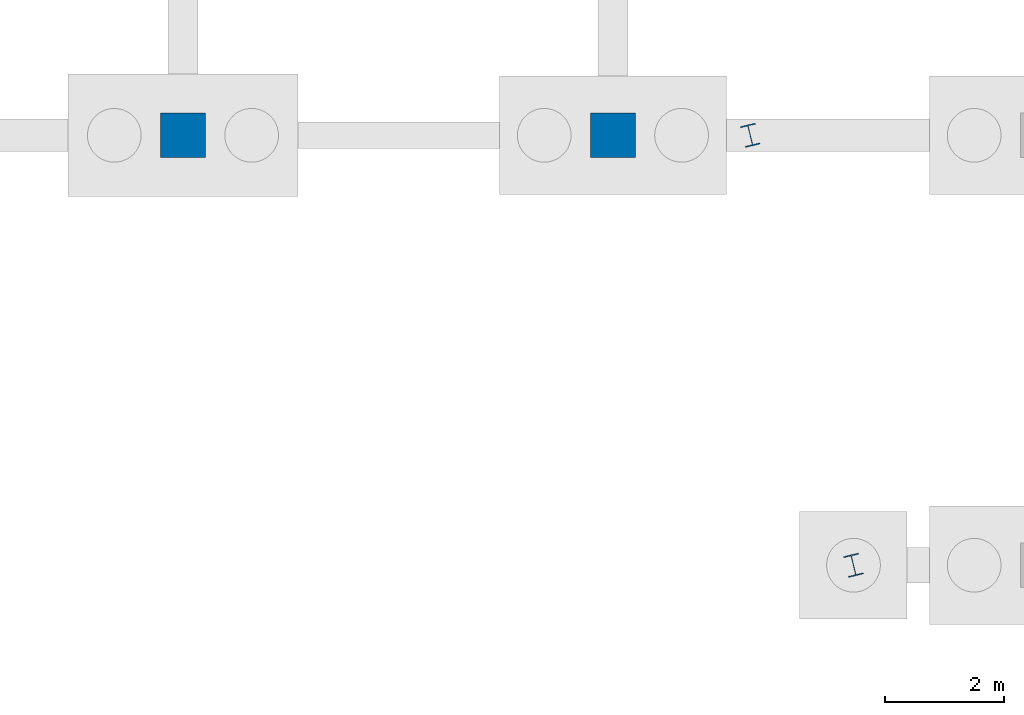
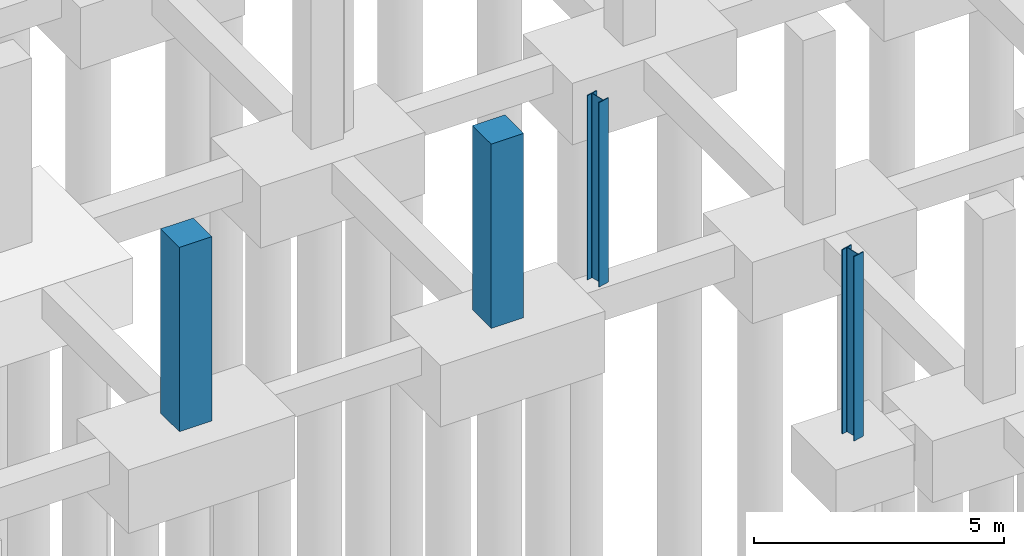
# One storey, part 16 of 36: 4 columns.
"""IFC4 building model written with IfcOpenShell, lengths in metres."""

import ifcopenshell
import ifcopenshell.guid

model = None  # the IFC model being written
_history = None  # IfcOwnerHistory: only IFC2X3 demands one
_inside = {}  # id of a spatial element -> (the spatial element, [elements in it])
_under = {}  # id of a project, library or spatial element -> (it, [spatial elements below it])
_declared = {}  # id of a project -> (the project, [libraries it declares])
_typed = {}  # id of a type object -> (the type object, [elements of that type])
_made_of = {}  # id of a material, layer set ... -> (it, [elements and type objects made of it])


def new_model(schema):
    """Start an empty IFC model of exactly this schema.

    Asked for "IFC4X3", IfcOpenShell would pick the latest addendum, in which some entities
    have other attributes; the version numbers below select the first issue.
    IFC2X3 requires an IfcOwnerHistory on every rooted entity: one is made here for all.
    """
    global model, _history
    if schema == "IFC4X3":
        model = ifcopenshell.file(schema_version=(4, 3, 0, 0))
    else:
        model = ifcopenshell.file(schema=schema)
    _inside.clear()
    _under.clear()
    _declared.clear()
    _typed.clear()
    _made_of.clear()
    _history = None
    if model.schema == "IFC2X3":
        org = make("IfcOrganization", Name="unknown")
        user = make(
            "IfcPersonAndOrganization",
            ThePerson=make("IfcPerson", FamilyName="unknown"),
            TheOrganization=org,
        )
        app = make(
            "IfcApplication",
            ApplicationDeveloper=org,
            Version="unknown",
            ApplicationFullName="unknown",
            ApplicationIdentifier="unknown",
        )
        _history = make(
            "IfcOwnerHistory",
            OwningUser=user,
            OwningApplication=app,
            ChangeAction="ADDED",
            CreationDate=0,
        )
    return model


def make(cls, **values):
    """One entity of the class cls with the attributes given. An attribute that is None is left unset."""
    return model.create_entity(
        cls, **{name: value for name, value in values.items() if value is not None}
    )


def rooted(cls, **values):
    """An entity with a GlobalId (a new one), such as an element, a storey or a relation."""
    return make(cls, GlobalId=ifcopenshell.guid.new(), OwnerHistory=_history, **values)


def si_unit(unit_type, name, prefix=None):
    """IfcSIUnit, for example si_unit("LENGTHUNIT", "METRE", prefix="MILLI")."""
    return make("IfcSIUnit", UnitType=unit_type, Prefix=prefix, Name=name)


def assignment(units):
    """IfcUnitAssignment: the units of a project."""
    return None if units is None else make("IfcUnitAssignment", Units=units)


def point(xyz):
    """IfcCartesianPoint."""
    return None if xyz is None else make("IfcCartesianPoint", Coordinates=xyz)


def direction(xyz):
    """IfcDirection."""
    return None if xyz is None else make("IfcDirection", DirectionRatios=xyz)


def frame(location, z_axis=None, x_axis=None):
    """IfcAxis2Placement3D, a coordinate frame: its origin and axes. An axis left out is left unset."""
    return make(
        "IfcAxis2Placement3D",
        Location=point(location),
        Axis=direction(z_axis),
        RefDirection=direction(x_axis),
    )


def frame_2d(location, x_axis=None):
    """IfcAxis2Placement2D, a coordinate frame in the plane: its origin and x axis."""
    return make(
        "IfcAxis2Placement2D", Location=point(location), RefDirection=direction(x_axis)
    )


def origin():
    """The frame at (0, 0, 0) with its axes left unset."""
    return frame((0.0, 0.0, 0.0))


def origin_2d():
    """The frame at (0, 0) in the plane with its x axis left unset."""
    return frame_2d((0.0, 0.0))


def place(relative_to, where):
    """IfcLocalPlacement: puts the frame where relative to a parent placement (None: the world)."""
    return make(
        "IfcLocalPlacement", PlacementRelTo=relative_to, RelativePlacement=where
    )


def context(
    kind, dimensions, precision=None, world=None, true_north=None, identifier=None
):
    """IfcGeometricRepresentationContext, for example the 3D "Model" context."""
    return make(
        "IfcGeometricRepresentationContext",
        ContextIdentifier=identifier,
        ContextType=kind,
        CoordinateSpaceDimension=dimensions,
        Precision=precision,
        WorldCoordinateSystem=world,
        TrueNorth=true_north,
    )


def subcontext(parent, identifier, kind, view, scale=None):
    """IfcGeometricRepresentationSubContext, for example "Body" below "Model"."""
    return make(
        "IfcGeometricRepresentationSubContext",
        ContextIdentifier=identifier,
        ContextType=kind,
        ParentContext=parent,
        TargetScale=scale,
        TargetView=view,
    )


def project(units=None, contexts=None):
    """IfcProject with its units and contexts."""
    return rooted(
        "IfcProject",
        Name="project",
        RepresentationContexts=contexts,
        UnitsInContext=assignment(units),
    )


def spatial(cls, under=None, at=None, **own):
    """A site, building, storey or space (cls), placed at a placement, below another one or the project."""
    s = rooted(cls, ObjectPlacement=at, **own)
    if under is not None:
        _under.setdefault(under.id(), (under, []))[1].append(s)
    return s


def profile(cls, at=None, kind="AREA", **sizes):
    """A parametric profile (cls). Its sizes go by their IFC names, for example OverallWidth=200.0."""
    return make(cls, ProfileType=kind, Position=at, **sizes)


def rectangle(**sizes):
    """IfcRectangleProfileDef."""
    return profile("IfcRectangleProfileDef", **sizes)


def i_section(**sizes):
    """IfcIShapeProfileDef."""
    return profile("IfcIShapeProfileDef", **sizes)


def extrude(swept, where, along, depth):
    """IfcExtrudedAreaSolid: the profile swept, set in the frame where, extruded along a direction by depth."""
    return make(
        "IfcExtrudedAreaSolid",
        SweptArea=swept,
        Position=where,
        ExtrudedDirection=direction(along),
        Depth=depth,
    )


def shape(context_of_items, identifier, shape_type, items):
    """IfcShapeRepresentation: the items that make up one representation, for example the "Body"."""
    return make(
        "IfcShapeRepresentation",
        ContextOfItems=context_of_items,
        RepresentationIdentifier=identifier,
        RepresentationType=shape_type,
        Items=items,
    )


def material(Name=None, Category=None):
    """IfcMaterial."""
    return make("IfcMaterial", Name=Name, Category=Category)


def material_profile(
    of_material, cross_section, Name=None, Category=None, Priority=None
):
    """IfcMaterialProfile: a cross section and its material."""
    return make(
        "IfcMaterialProfile",
        Name=Name,
        Material=of_material,
        Profile=cross_section,
        Priority=Priority,
        Category=Category,
    )


def profile_set(profiles, Name=None, composite=None):
    """IfcMaterialProfileSet."""
    return make(
        "IfcMaterialProfileSet",
        Name=Name,
        MaterialProfiles=profiles,
        CompositeProfile=composite,
    )


def made_of(thing, what):
    """Note that an element or type object is made of a material, layer set ...; save() writes the relation."""
    if what is not None:
        _made_of.setdefault(what.id(), (what, []))[1].append(thing)
    return thing


def type_object(cls, material=None, **own):
    """A type object (cls), such as IfcWallType, which elements share."""
    return made_of(rooted(cls, **own), material)


def element(
    cls,
    number,
    at=None,
    inside=None,
    cuts=None,
    type_object=None,
    material=None,
    context=None,
    identifier="Body",
    shape_type=None,
    held_by="IfcProductDefinitionShape",
    body=None,
    shapes=None,
    **own,
):
    """One element of the class cls, such as IfcWall. Its Tag is "e" and its number.

    at: its placement. inside: the storey or other place that contains it. cuts: it is an
    opening in that element (IfcRelVoidsElement). A single representation is given by context,
    identifier, shape_type and body (its items); several are given by shapes. held_by: the class
    of the entity that holds the representations. save() writes the other relations.
    """
    e = rooted(cls, Tag="e%d" % number, ObjectPlacement=at, **own)
    if body is not None:
        shapes = [shape(context, identifier, shape_type, body)]
    if shapes is not None:
        e.Representation = make(held_by, Representations=shapes)
    if inside is not None:
        _inside.setdefault(inside.id(), (inside, []))[1].append(e)
    if cuts is not None:
        rooted(
            "IfcRelVoidsElement", RelatingBuildingElement=cuts, RelatedOpeningElement=e
        )
    if type_object is not None:
        _typed.setdefault(type_object.id(), (type_object, []))[1].append(e)
    return made_of(e, material)


def aggregate(whole, parts):
    """IfcRelAggregates: a whole, such as a stair, and the parts it consists of."""
    return rooted("IfcRelAggregates", RelatingObject=whole, RelatedObjects=parts)


def save(model, path):
    """Write the relations noted so far, then the file.

    IfcRelAggregates (storeys below a building ...), IfcRelContainedInSpatialStructure (elements
    in a storey), IfcRelDefinesByType, IfcRelAssociatesMaterial and IfcRelDeclares: one each for
    every whole, place, type object, material and project.
    """
    for whole, parts in _under.values():
        aggregate(whole, parts)
    for where, things in _inside.values():
        rooted(
            "IfcRelContainedInSpatialStructure",
            RelatedElements=things,
            RelatingStructure=where,
        )
    for kind, things in _typed.values():
        rooted("IfcRelDefinesByType", RelatedObjects=things, RelatingType=kind)
    for what, things in _made_of.values():
        rooted("IfcRelAssociatesMaterial", RelatedObjects=things, RelatingMaterial=what)
    for by, libraries in _declared.values():
        rooted("IfcRelDeclares", RelatingContext=by, RelatedDefinitions=libraries)
    model.write(path)


model = new_model("IFC4")

# Units and contexts
model_context = context("Model", 3, precision=1e-05, world=origin(), true_north=direction((0.0, 1.0)))
body_context = subcontext(model_context, "Body", "Model", "MODEL_VIEW")
ifc_project = project(units=[si_unit("LENGTHUNIT", "METRE"), si_unit("AREAUNIT", "SQUARE_METRE"), si_unit("VOLUMEUNIT", "CUBIC_METRE"), si_unit("PLANEANGLEUNIT", "RADIAN"), si_unit("MASSUNIT", "GRAM", prefix="KILO")], contexts=[model_context])

# Site, building, storey
site_placement = place(None, origin())
site = spatial("IfcSite", under=ifc_project, at=site_placement, CompositionType="ELEMENT")
building_placement = place(site_placement, origin())
building = spatial("IfcBuilding", under=site, at=building_placement, Name="Kalmorath City Hall", CompositionType="ELEMENT")
storey_placement = place(building_placement, frame((0.0, 0.0, -4.5)))
storey = spatial("IfcBuildingStorey", under=building, at=storey_placement, Name="B1", CompositionType="ELEMENT", Elevation=-4.5)

# Columns
ifc_material_1 = material(Name="Concrete C50/60", Category="concrete")
ifc_material_profile_1 = material_profile(ifc_material_1, rectangle(XDim=0.75, YDim=0.75, at=origin_2d()), Name="RC-COL-750X750")
ifc_profile_set_1 = profile_set([ifc_material_profile_1], Name="Concrete C50/60")
column_type_1 = type_object("IfcColumnType", Name="Concrete column 750x750", PredefinedType="COLUMN", material=ifc_profile_set_1)
for number, where, z_axis, x_axis, name in (
    (1, (115.199951171875, 93.60009765625, 0.0), (0.0, 0.0, 1.0), (1.0, 0.0, 0.0), "B1 column C3 (17/14)"),
    (2, (122.39990234375, 93.60009765625, 0.0), (0.0, 0.0, 1.0), (1.0, 0.0, 0.0), "B1 column C3 (18/14)"),
):
    element("IfcColumn", number, at=place(storey_placement, frame(where, z_axis=z_axis, x_axis=x_axis)), inside=storey, type_object=column_type_1, Name=name, PredefinedType="COLUMN", context=body_context, shape_type="SweptSolid", body=[
        extrude(rectangle(XDim=0.75, YDim=0.75, at=origin_2d()), origin(), (0.0, 0.0, 1.0), 4.5),
    ])
ifc_material_2 = material(Name="Steel ASTM A992 Grade 50", Category="steel")
ifc_material_profile_2 = material_profile(ifc_material_2, i_section(OverallWidth=0.256103515625, OverallDepth=0.360107421875, WebThickness=0.011474609375, FlangeThickness=0.02001953125, FilletRadius=0.014892578125, at=origin_2d()), Name="W14X74")
ifc_profile_set_2 = profile_set([ifc_material_profile_2], Name="Steel ASTM A992 Grade 50")
column_type_2 = type_object("IfcColumnType", Name="Steel wide-flange column W14X74", PredefinedType="COLUMN", material=ifc_profile_set_2)
for number, where, z_axis, x_axis, name in (
    (3, (126.4287109375, 86.39990234375, 0.0), (0.0, 0.0, 1.0), (0.972369920398, 0.233445363856, 0.0), "B1 library splay column SC4-7"),
    (4, (124.699951171875, 93.60009765625, 0.0), (0.0, 0.0, 1.0), (0.972369920398, 0.233445363856, 0.0), "B1 library splay column SC4-8"),
):
    element("IfcColumn", number, at=place(storey_placement, frame(where, z_axis=z_axis, x_axis=x_axis)), inside=storey, type_object=column_type_2, Name=name, PredefinedType="COLUMN", context=body_context, shape_type="SweptSolid", body=[
        extrude(i_section(OverallWidth=0.256103515625, OverallDepth=0.360107421875, WebThickness=0.011474609375, FlangeThickness=0.02001953125, FilletRadius=0.014892578125, at=origin_2d()), origin(), (0.0, 0.0, 1.0), 4.5),
    ])

save(model, "model.ifc")
